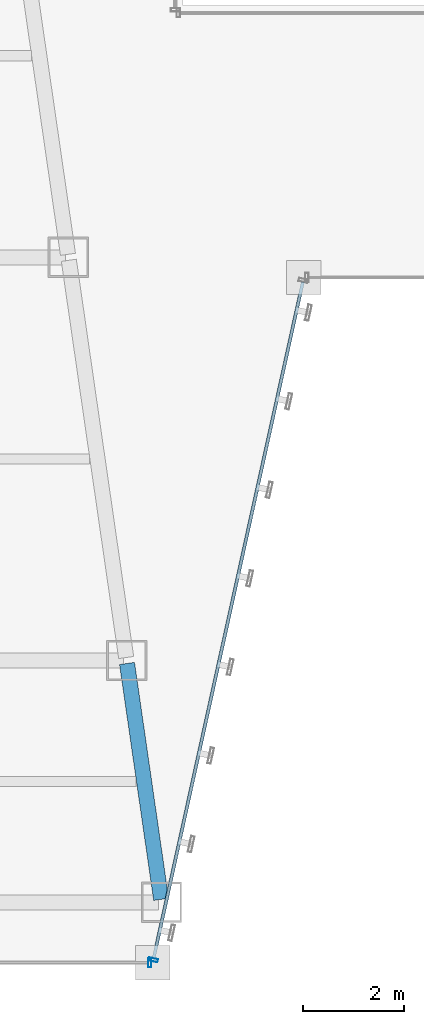
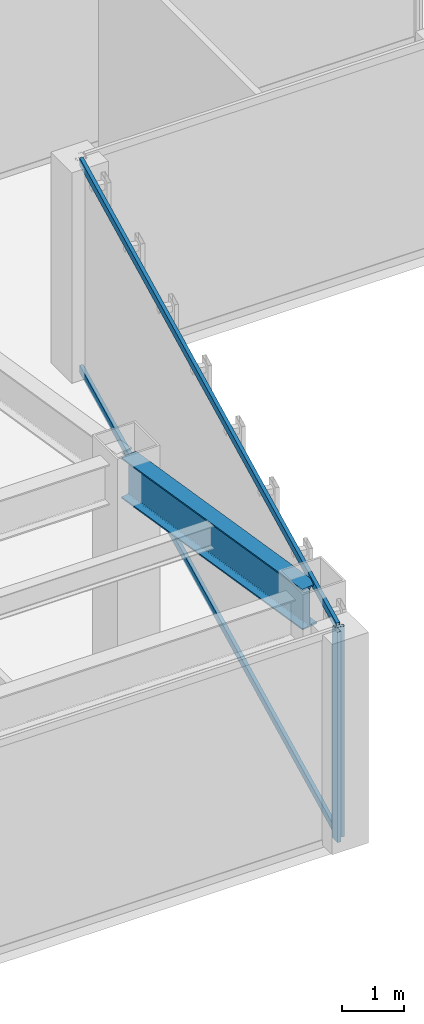
# One storey, part 7 of 47: 4 members, 1 beam, 2 elements without a shape of their own.
"""IFC4 building model written with IfcOpenShell, lengths in metres."""

from ifc_helpers import new_model, si_unit, direction, frame, origin, origin_2d, place, context, subcontext, project, spatial, hollow_rectangle, i_section, extrude, material, material_profile, profile_set, type_object, element, aggregate, save


model = new_model("IFC4")

# Units and contexts
model_context = context("Model", 3, precision=1e-05, world=origin(), true_north=direction((0.0, 1.0)))
body_context = subcontext(model_context, "Body", "Model", "MODEL_VIEW")
ifc_project = project(units=[si_unit("LENGTHUNIT", "METRE"), si_unit("AREAUNIT", "SQUARE_METRE"), si_unit("VOLUMEUNIT", "CUBIC_METRE"), si_unit("PLANEANGLEUNIT", "RADIAN"), si_unit("MASSUNIT", "GRAM", prefix="KILO")], contexts=[model_context])

# Site, building, storey
site_placement = place(None, origin())
site = spatial("IfcSite", under=ifc_project, at=site_placement, CompositionType="ELEMENT")
building_placement = place(site_placement, origin())
building = spatial("IfcBuilding", under=site, at=building_placement, Name="Saevonmaru Cultural Tower", CompositionType="ELEMENT")
storey_placement = place(building_placement, frame((0.0, 0.0, 42.800048828125)))
storey = spatial("IfcBuildingStorey", under=building, at=storey_placement, Name="L08", CompositionType="ELEMENT", Elevation=42.800048828125)

# Beam
ifc_material_1 = material(Name="Steel SM420", Category="steel")
ifc_material_profile_1 = material_profile(ifc_material_1, i_section(OverallWidth=0.300048828125, OverallDepth=0.800048828125, WebThickness=0.013916015625, FlangeThickness=0.02587890625, FilletRadius=0.028076171875, at=origin_2d()), Name="H-800x300x14x26")
ifc_profile_set_1 = profile_set([ifc_material_profile_1], Name="Steel SM420")
beam_type = type_object("IfcBeamType", Name="BM-G-H800", PredefinedType="BEAM", material=ifc_profile_set_1)
beam_placement = place(storey_placement, frame((23.768310546875, 3.259521484375, 3.75), z_axis=(-0.143083234893, 0.989710658674, 0.0), x_axis=(-0.989710658674, -0.143083234893, 0.0)))
element("IfcBeam", 1, at=beam_placement, inside=storey, type_object=beam_type, Name="L08 West Atrium Girder 1", PredefinedType="BEAM", context=body_context, shape_type="SweptSolid", body=[
    extrude(i_section(OverallWidth=0.300048828125, OverallDepth=0.800048828125, WebThickness=0.013916015625, FlangeThickness=0.02587890625, FilletRadius=0.028076171875, at=origin_2d()), origin(), (0.0, 0.0, 1.0), 4.729736328125),
])

# Curtain wall, member
ifc_material_2 = material(Name="Satin Bronze Anodised Aluminium", Category="aluminium")
curtain_wall_type = type_object("IfcCurtainWallType", Name="CW-TYP-A", PredefinedType="NOTDEFINED", material=ifc_material_2)
curtain_wall_1_placement = place(storey_placement, origin())
curtain_wall_1 = element("IfcCurtainWall", 2, at=curtain_wall_1_placement, inside=storey, type_object=curtain_wall_type, Name="L08 Unitised Curtain Wall E2", PredefinedType="NOTDEFINED")
ifc_material_profile_2 = material_profile(ifc_material_2, hollow_rectangle(XDim=0.06494140625, YDim=0.179931640625, WallThickness=0.00390625, at=origin_2d()), Name="ALU-MULL-180x65x4")
ifc_profile_set_2 = profile_set([ifc_material_profile_2], Name="Satin Bronze Anodised Aluminium")
member_type_1 = type_object("IfcMemberType", Name="ML-CW-180x65", PredefinedType="MULLION", material=ifc_profile_set_2)
member_1_placement = place(storey_placement, frame((23.5400390625, 2.0, 0.0), z_axis=(0.0, 0.0, 1.0), x_axis=(1.0, 0.0, 0.0)))
member_1 = element("IfcMember", 3, at=member_1_placement, type_object=member_type_1, Name="CW-TW-L08-E2 mullion 2", PredefinedType="MULLION", context=body_context, shape_type="SweptSolid", body=[
    extrude(hollow_rectangle(XDim=0.06494140625, YDim=0.179931640625, WallThickness=0.00390625, at=origin_2d()), origin(), (0.0, 0.0, 1.0), 4.14990234375),
])
aggregate(curtain_wall_1, [member_1])

# Curtain wall, members
curtain_wall_2_placement = place(storey_placement, origin())
curtain_wall_2 = element("IfcCurtainWall", 4, at=curtain_wall_2_placement, inside=storey, type_object=curtain_wall_type, Name="L08 Unitised Curtain Wall E3", PredefinedType="NOTDEFINED")
member_2_placement = place(storey_placement, frame((23.61279296875, 2.05859375, 0.0), z_axis=(0.0, 0.0, 1.0), x_axis=(0.215413319953, 0.976522965212, 0.0)))
member_2 = element("IfcMember", 5, at=member_2_placement, type_object=member_type_1, Name="CW-TW-L08-E3 mullion 1", PredefinedType="MULLION", context=body_context, shape_type="SweptSolid", body=[
    extrude(hollow_rectangle(XDim=0.06494140625, YDim=0.179931640625, WallThickness=0.00390625, at=origin_2d()), origin(), (0.0, 0.0, 1.0), 4.14990234375),
])
ifc_material_profile_3 = material_profile(ifc_material_2, hollow_rectangle(XDim=0.06494140625, YDim=0.14990234375, WallThickness=0.00390625, at=origin_2d()), Name="ALU-TRAN-150x65x4")
ifc_profile_set_3 = profile_set([ifc_material_profile_3], Name="Satin Bronze Anodised Aluminium")
member_type_2 = type_object("IfcMemberType", Name="TR-CW-150x65", PredefinedType="USERDEFINED", material=ifc_profile_set_3)
member_3_placement = place(storey_placement, frame((23.619873046875, 2.09033203125, 0.032470703125), z_axis=(0.21541214732, 0.976523223885, 0.0), x_axis=(-0.976523223885, 0.21541214732, 0.0)))
member_3 = element("IfcMember", 6, at=member_3_placement, type_object=member_type_2, Name="CW-TW-L08-E3 transom 1.1", ObjectType="TRANSOM", PredefinedType="USERDEFINED", context=body_context, shape_type="SweptSolid", body=[
    extrude(hollow_rectangle(XDim=0.06494140625, YDim=0.14990234375, WallThickness=0.00390625, at=origin_2d()), origin(), (0.0, 0.0, 1.0), 13.741943359375),
])
member_4_placement = place(storey_placement, frame((23.619873046875, 2.09033203125, 4.117431640625), z_axis=(0.21541214732, 0.976523223885, 0.0), x_axis=(-0.976523223885, 0.21541214732, 0.0)))
member_4 = element("IfcMember", 7, at=member_4_placement, type_object=member_type_2, Name="CW-TW-L08-E3 transom 1.2", ObjectType="TRANSOM", PredefinedType="USERDEFINED", context=body_context, shape_type="SweptSolid", body=[
    extrude(hollow_rectangle(XDim=0.06494140625, YDim=0.14990234375, WallThickness=0.00390625, at=origin_2d()), origin(), (0.0, 0.0, 1.0), 13.741943359375),
])
aggregate(curtain_wall_2, [member_2, member_3, member_4])

save(model, "model.ifc")
